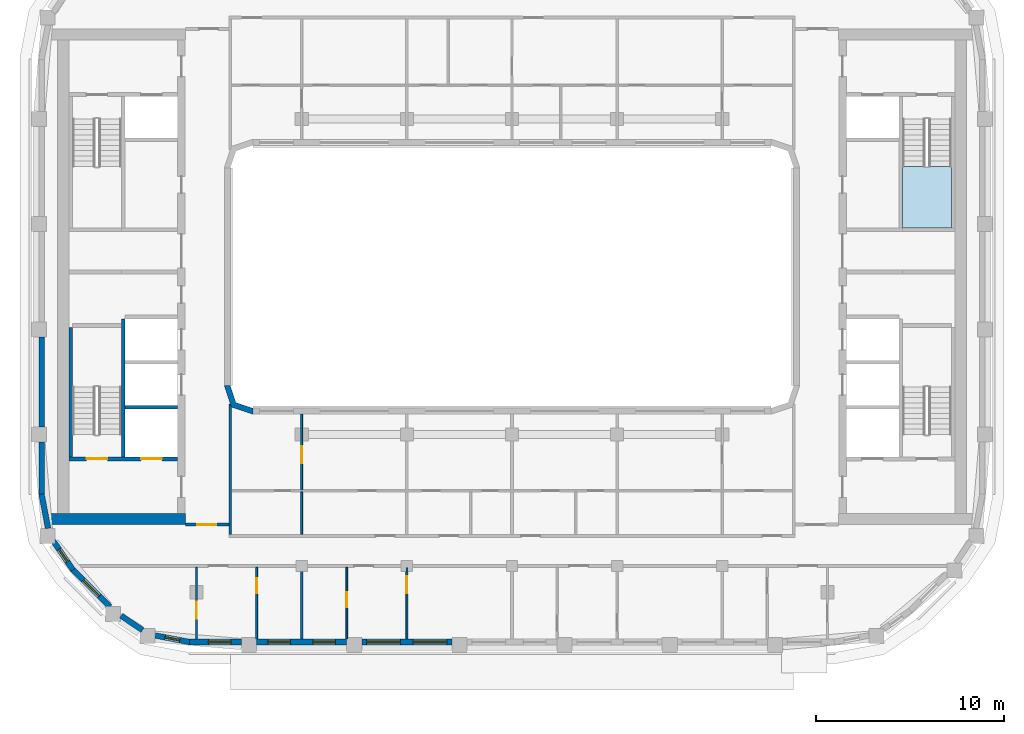
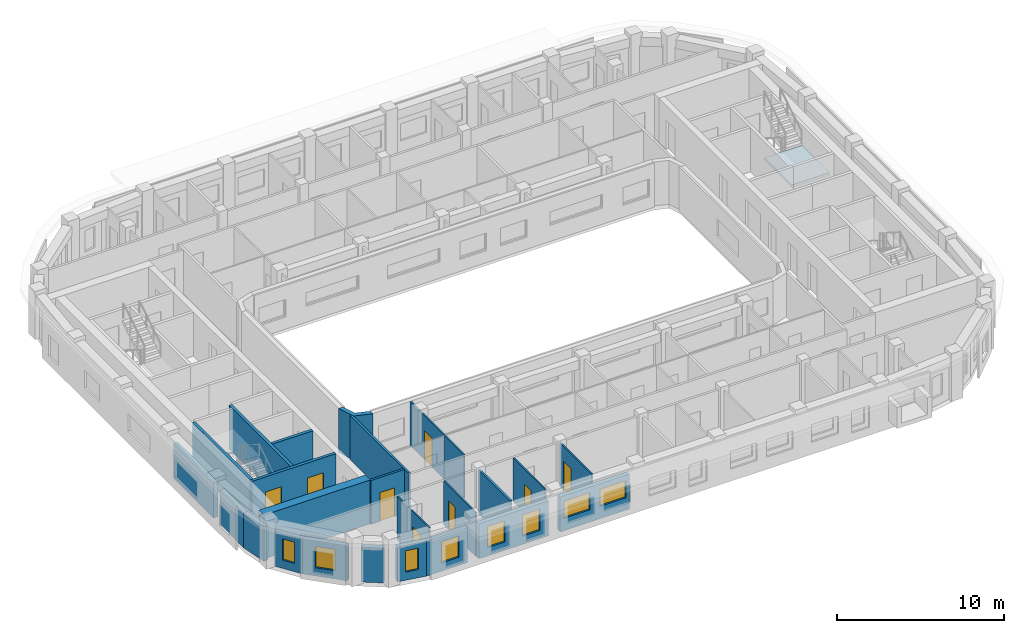
# One storey, part 2 of 16: 25 walls, 8 doors, 8 windows, 1 slab, 16 openings, 1 element without a shape of its own.
"""IFC4 building model written with IfcOpenShell, lengths in metres."""

from ifc_helpers import new_model, si_unit, direction, frame, frame_2d, origin, place, context, subcontext, project, spatial, polyline, rectangle, outline, extrude, material, layer, layer_set, type_object, element, fill, aggregate, save


model = new_model("IFC4")

# Units and contexts
model_context = context("Model", 3, precision=1e-05, world=origin(), true_north=direction((0.0, 1.0)))
body_context = subcontext(model_context, "Body", "Model", "MODEL_VIEW")
ifc_project = project(units=[si_unit("LENGTHUNIT", "METRE"), si_unit("AREAUNIT", "SQUARE_METRE"), si_unit("VOLUMEUNIT", "CUBIC_METRE"), si_unit("PLANEANGLEUNIT", "RADIAN"), si_unit("MASSUNIT", "GRAM", prefix="KILO")], contexts=[model_context])

# Site, building, storey
site_placement = place(None, origin())
site = spatial("IfcSite", under=ifc_project, at=site_placement, CompositionType="ELEMENT")
building_placement = place(site_placement, origin())
building = spatial("IfcBuilding", under=site, at=building_placement, Name="Kiln Ring Residences", CompositionType="ELEMENT")
storey_placement = place(building_placement, frame((0.0, 0.0, 259.199951171875)))
storey = spatial("IfcBuildingStorey", under=building, at=storey_placement, Name="L67", CompositionType="ELEMENT", Elevation=259.199951171875)

# Stair, slab
ifc_material_1 = material(Name="Concrete C40/50", Category="concrete")
stair_type = type_object("IfcStairType", Name="CORE-STAIR", PredefinedType="HALF_TURN_STAIR", material=ifc_material_1)
placement = place(storey_placement, origin())
stair = element("IfcStair", 1, at=placement, inside=storey, type_object=stair_type, Name="L67 stair E-STN", PredefinedType="HALF_TURN_STAIR")
ifc_material_2 = material(Name="Concrete C40/50", Category="concrete")
ifc_layer_1 = layer(ifc_material_2, 0.199951171875)
ifc_layer_set_1 = layer_set([ifc_layer_1], Name="CORE-STAIR-LANDING")
slab_type = type_object("IfcSlabType", Name="CORE-STAIR-LANDING", PredefinedType="LANDING", material=ifc_layer_set_1)
slab_placement = place(storey_placement, frame((0.0, 0.0, 1.550048828125)))
slab = element("IfcSlab", 2, at=slab_placement, type_object=slab_type, Name="E-STN landing 1", PredefinedType="LANDING", context=body_context, shape_type="SweptSolid", body=[
    extrude(outline(polyline([(20.800048828125, 5.8798828125), (20.800048828125, 2.60009765625), (23.39990234375, 2.60009765625), (23.39990234375, 5.8798828125), (20.800048828125, 5.8798828125)])), origin(), (0.0, 0.0, 1.0), 0.199951171875),
])
aggregate(stair, [slab])

# Walls
ifc_material_3 = material(Name="Gypsum shaft wall system")
ifc_layer_2 = layer(ifc_material_3, 0.199951171875)
ifc_layer_set_2 = layer_set([ifc_layer_2], Name="CORE-SHAFT-WALL-200")
wall_type_1 = type_object("IfcWallType", Name="CORE-SHAFT-WALL-200", PredefinedType="PARTITIONING", material=ifc_layer_set_2)
wall_1_placement = place(storey_placement, frame((-17.800048828125, -6.949951171875, 0.0), z_axis=(0.0, 0.0, 1.0), x_axis=(-1.0, 0.0, 0.0)))
element("IfcWall", 3, at=wall_1_placement, inside=storey, type_object=wall_type_1, Name="Core partition west L67 2", PredefinedType="PARTITIONING", context=body_context, shape_type="SweptSolid", body=[
    extrude(rectangle(XDim=2.800048828125, YDim=0.199951171875, at=frame_2d((1.39990234375, 0.0))), origin(), (0.0, 0.0, 1.0), 3.199951171875),
])
ifc_material_4 = material(Name="Concrete C40/50", Category="concrete")
ifc_layer_3 = layer(ifc_material_4, 0.199951171875)
ifc_layer_set_3 = layer_set([ifc_layer_3], Name="CORE-WALL-RC200")
wall_type_2 = type_object("IfcWallType", Name="CORE-WALL-RC200", PredefinedType="SHEAR", material=ifc_layer_set_3)
wall_2_placement = place(storey_placement, frame((-20.699951171875, -9.60009765625, 0.0), z_axis=(0.0, 0.0, 1.0), x_axis=(0.0, 1.0, 0.0)))
element("IfcWall", 4, at=wall_2_placement, inside=storey, type_object=wall_type_2, Name="Core wall west L67 2", PredefinedType="SHEAR", context=body_context, shape_type="SweptSolid", body=[
    extrude(rectangle(XDim=7.35009765625, YDim=0.199951171875, at=frame_2d((3.675048828125, 0.0))), origin(), (0.0, 0.0, 1.0), 3.199951171875),
])

# Wall, openings, doors
wall_3_placement = place(storey_placement, frame((-17.800048828125, -9.699951171875, 0.0), z_axis=(0.0, 0.0, 1.0), x_axis=(-1.0, 0.0, 0.0)))
wall_3 = element("IfcWall", 5, at=wall_3_placement, inside=storey, type_object=wall_type_2, Name="Core wall west L67 8", PredefinedType="SHEAR", context=body_context, shape_type="SweptSolid", body=[
    extrude(rectangle(XDim=5.800048828125, YDim=0.199951171875, at=frame_2d((2.89990234375, 0.0))), origin(), (0.0, 0.0, 1.0), 3.199951171875),
])
opening_1_placement = place(wall_3_placement, frame((0.85009765625, 0.0, 0.0)))
opening_1 = element("IfcOpeningElement", 6, at=opening_1_placement, cuts=wall_3, Name="Opening L67-CW01", PredefinedType="OPENING", context=body_context, shape_type="SweptSolid", body=[
    extrude(rectangle(XDim=1.10009765625, YDim=2.10009765625, at=frame_2d((0.550048828125, 1.050048828125))), frame((0.0, 0.10986328125, 0.0), z_axis=(0.0, -1.0, 0.0), x_axis=(1.0, 0.0, 0.0)), (0.0, 0.0, 1.0), 0.219970703125),
])
opening_2_placement = place(wall_3_placement, frame((3.75, 0.0, 0.0)))
opening_2 = element("IfcOpeningElement", 7, at=opening_2_placement, cuts=wall_3, Name="Opening L67-CW10", PredefinedType="OPENING", context=body_context, shape_type="SweptSolid", body=[
    extrude(rectangle(XDim=1.10009765625, YDim=2.10009765625, at=frame_2d((0.550048828125, 1.050048828125))), frame((0.0, 0.10986328125, 0.0), z_axis=(0.0, -1.0, 0.0), x_axis=(1.0, 0.0, 0.0)), (0.0, 0.0, 1.0), 0.219970703125),
])
ifc_material_5 = material(Name="Steel door leaf", Category="steel")
door_type_1 = type_object("IfcDoorType", Name="CORE-DOOR-LD", OperationType="DOUBLE_DOOR_SLIDING", PredefinedType="DOOR", material=ifc_material_5)
door_1_placement = place(opening_1_placement, origin())
door_1 = element("IfcDoor", 8, at=door_1_placement, inside=storey, type_object=door_type_1, Name="LD W-SV L67-CW01", OperationType="DOUBLE_DOOR_SLIDING", OverallHeight=2.10009765625, OverallWidth=1.10009765625, PredefinedType="DOOR", context=body_context, shape_type="SweptSolid", body=[
    extrude(rectangle(XDim=1.10009765625, YDim=2.10009765625, at=frame_2d((0.550048828125, 1.050048828125))), frame((0.0, 0.02490234375, 0.0), z_axis=(0.0, -1.0, 0.0), x_axis=(1.0, 0.0, 0.0)), (0.0, 0.0, 1.0), 0.050048828125),
])
fill(opening_1, door_1)
ifc_material_6 = material(Name="Steel door leaf", Category="steel")
door_type_2 = type_object("IfcDoorType", Name="CORE-DOOR-STAIR", OperationType="SINGLE_SWING_LEFT", PredefinedType="DOOR", material=ifc_material_6)
door_2_placement = place(opening_2_placement, origin())
door_2 = element("IfcDoor", 9, at=door_2_placement, inside=storey, type_object=door_type_2, Name="Stair W-STS L67-CW10", OperationType="SINGLE_SWING_LEFT", OverallHeight=2.10009765625, OverallWidth=1.10009765625, PredefinedType="DOOR", context=body_context, shape_type="SweptSolid", body=[
    extrude(rectangle(XDim=1.10009765625, YDim=2.10009765625, at=frame_2d((0.550048828125, 1.050048828125))), frame((0.0, 0.02490234375, 0.0), z_axis=(0.0, -1.0, 0.0), x_axis=(1.0, 0.0, 0.0)), (0.0, 0.0, 1.0), 0.050048828125),
])
fill(opening_2, door_2)

# Walls
wall_4_placement = place(storey_placement, frame((-23.5, -9.60009765625, 0.0), z_axis=(0.0, 0.0, 1.0), x_axis=(0.0, 1.0, 0.0)))
element("IfcWall", 10, at=wall_4_placement, inside=storey, type_object=wall_type_2, Name="Core wall west L67 11", PredefinedType="SHEAR", context=body_context, shape_type="SweptSolid", body=[
    extrude(rectangle(XDim=6.900146484375, YDim=0.199951171875, at=frame_2d((3.4501953125, 0.0))), origin(), (0.0, 0.0, 1.0), 3.199951171875),
])
ifc_material_7 = material(Name="Concrete C60/75", Category="concrete")
ifc_layer_4 = layer(ifc_material_7, 0.60009765625)
ifc_layer_set_4 = layer_set([ifc_layer_4], Name="CORE-WALL-RC600")
wall_type_3 = type_object("IfcWallType", Name="CORE-WALL-RC600", PredefinedType="SHEAR", material=ifc_layer_set_4)
wall_5_placement = place(storey_placement, frame((-17.39990234375, -12.89990234375, 0.0), z_axis=(0.0, 0.0, 1.0), x_axis=(-1.0, 0.0, 0.0)))
element("IfcWall", 11, at=wall_5_placement, inside=storey, type_object=wall_type_3, Name="Core wall west L67 5", PredefinedType="SHEAR", context=body_context, shape_type="SweptSolid", body=[
    extrude(rectangle(XDim=7.320068359375, YDim=0.60009765625, at=frame_2d((3.66015625, 0.0))), origin(), (0.0, 0.0, 1.0), 3.199951171875),
])

# Wall, opening, window
ifc_material_8 = material(Name="Brick masonry, dark clay brick", Category="masonry")
ifc_layer_5 = layer(ifc_material_8, 0.300048828125)
ifc_layer_set_5 = layer_set([ifc_layer_5], Name="EW-300 BRICK WALL")
wall_type_4 = type_object("IfcWallType", Name="EW-300 BRICK WALL", PredefinedType="SOLIDWALL", material=ifc_layer_set_5)
wall_6_placement = place(storey_placement, frame((-23.39697265625, -15.591064453125, 0.0), z_axis=(0.0, 0.0, 1.0), x_axis=(0.707150377276, -0.707063182409, 0.0)))
wall_6 = element("IfcWall", 12, at=wall_6_placement, inside=storey, type_object=wall_type_4, Name="Facade wall L67 1", PredefinedType="SOLIDWALL", context=body_context, shape_type="SweptSolid", body=[
    extrude(rectangle(XDim=2.800048828125, YDim=0.300048828125, at=frame_2d((1.39990234375, 0.0))), origin(), (0.0, 0.0, 1.0), 2.550048828125),
])
opening_3_placement = place(wall_6_placement, frame((0.800048828125, 0.0, 0.60009765625)))
opening_3 = element("IfcOpeningElement", 13, at=opening_3_placement, cuts=wall_6, Name="Opening W1", PredefinedType="OPENING", context=body_context, shape_type="SweptSolid", body=[
    extrude(rectangle(XDim=1.199951171875, YDim=1.550048828125, at=frame_2d((0.60009765625, 0.77490234375))), frame((0.0, 0.159912109375, 0.0), z_axis=(0.0, -1.0, 0.0), x_axis=(1.0, 0.0, 0.0)), (0.0, 0.0, 1.0), 0.320068359375),
])
ifc_material_9 = material(Name="Aluminium frame with double glazing", Category="aluminium")
window_type_1 = type_object("IfcWindowType", Name="WINDOW 1200 x 1550", PartitioningType="SINGLE_PANEL", PredefinedType="WINDOW", material=ifc_material_9)
window_1_placement = place(opening_3_placement, origin())
window_1 = element("IfcWindow", 14, at=window_1_placement, inside=storey, type_object=window_type_1, Name="Window L67 1", OverallHeight=1.550048828125, OverallWidth=1.199951171875, PartitioningType="SINGLE_PANEL", PredefinedType="WINDOW", context=body_context, shape_type="SweptSolid", body=[
    extrude(rectangle(XDim=1.199951171875, YDim=1.550048828125, at=frame_2d((0.60009765625, 0.77490234375))), frame((0.0, 0.030029296875, 0.0), z_axis=(0.0, -1.0, 0.0), x_axis=(1.0, 0.0, 0.0)), (0.0, 0.0, 1.0), 0.06005859375),
])
fill(opening_3, window_1)

# Wall
wall_7_placement = place(storey_placement, frame((-20.816650390625, -18.048095703125, 0.0), z_axis=(0.0, 0.0, 1.0), x_axis=(0.827025410886, -0.562164539747, 0.0)))
element("IfcWall", 15, at=wall_7_placement, inside=storey, type_object=wall_type_4, Name="Facade wall L67 2", PredefinedType="SOLIDWALL", context=body_context, shape_type="SweptSolid", body=[
    extrude(rectangle(XDim=1.377197265625, YDim=0.300048828125, at=frame_2d((0.6884765625, 0.0))), origin(), (0.0, 0.0, 1.0), 2.550048828125),
])

# Wall, opening, window
wall_8_placement = place(storey_placement, frame((-18.9951171875, -19.10498046875, 0.0), z_axis=(0.0, 0.0, 1.0), x_axis=(0.982301706131, -0.187305520826, 0.0)))
wall_8 = element("IfcWall", 16, at=wall_8_placement, inside=storey, type_object=wall_type_4, Name="Facade wall L67 3", PredefinedType="SOLIDWALL", context=body_context, shape_type="SweptSolid", body=[
    extrude(rectangle(XDim=1.856201171875, YDim=0.300048828125, at=frame_2d((0.92822265625, 0.0))), origin(), (0.0, 0.0, 1.0), 2.550048828125),
])
opening_4_placement = place(wall_8_placement, frame((0.528076171875, 0.0, 0.60009765625)))
opening_4 = element("IfcOpeningElement", 17, at=opening_4_placement, cuts=wall_8, Name="Opening W5", PredefinedType="OPENING", context=body_context, shape_type="SweptSolid", body=[
    extrude(rectangle(XDim=0.800048828125, YDim=1.550048828125, at=frame_2d((0.39990234375, 0.77490234375))), frame((0.0, 0.159912109375, 0.0), z_axis=(0.0, -1.0, 0.0), x_axis=(1.0, 0.0, 0.0)), (0.0, 0.0, 1.0), 0.320068359375),
])
ifc_material_10 = material(Name="Aluminium frame with double glazing", Category="aluminium")
window_type_2 = type_object("IfcWindowType", Name="WINDOW 800 x 1550", PartitioningType="SINGLE_PANEL", PredefinedType="WINDOW", material=ifc_material_10)
window_2_placement = place(opening_4_placement, origin())
window_2 = element("IfcWindow", 18, at=window_2_placement, inside=storey, type_object=window_type_2, Name="Window L67 2", OverallHeight=1.550048828125, OverallWidth=0.800048828125, PartitioningType="SINGLE_PANEL", PredefinedType="WINDOW", context=body_context, shape_type="SweptSolid", body=[
    extrude(rectangle(XDim=0.800048828125, YDim=1.550048828125, at=frame_2d((0.39990234375, 0.77490234375))), frame((0.0, 0.030029296875, 0.0), z_axis=(0.0, -1.0, 0.0), x_axis=(1.0, 0.0, 0.0)), (0.0, 0.0, 1.0), 0.06005859375),
])
fill(opening_4, window_2)

wall_9_placement = place(storey_placement, frame((-17.199951171875, -19.449951171875, 0.0), z_axis=(0.0, 0.0, 1.0), x_axis=(1.0, 0.0, 0.0)))
wall_9 = element("IfcWall", 19, at=wall_9_placement, inside=storey, type_object=wall_type_4, Name="Facade wall L67 4", PredefinedType="SOLIDWALL", context=body_context, shape_type="SweptSolid", body=[
    extrude(rectangle(XDim=2.800048828125, YDim=0.300048828125, at=frame_2d((1.39990234375, 0.0))), origin(), (0.0, 0.0, 1.0), 2.550048828125),
])
opening_5_placement = place(wall_9_placement, frame((1.03759765625, 0.0, 0.60009765625)))
opening_5 = element("IfcOpeningElement", 20, at=opening_5_placement, cuts=wall_9, Name="Opening W1", PredefinedType="OPENING", context=body_context, shape_type="SweptSolid", body=[
    extrude(rectangle(XDim=1.199951171875, YDim=1.550048828125, at=frame_2d((0.60009765625, 0.77490234375))), frame((0.0, 0.159912109375, 0.0), z_axis=(0.0, -1.0, 0.0), x_axis=(1.0, 0.0, 0.0)), (0.0, 0.0, 1.0), 0.320068359375),
])
window_3_placement = place(opening_5_placement, origin())
window_3 = element("IfcWindow", 21, at=window_3_placement, inside=storey, type_object=window_type_1, Name="Window L67 3", OverallHeight=1.550048828125, OverallWidth=1.199951171875, PartitioningType="SINGLE_PANEL", PredefinedType="WINDOW", context=body_context, shape_type="SweptSolid", body=[
    extrude(rectangle(XDim=1.199951171875, YDim=1.550048828125, at=frame_2d((0.60009765625, 0.77490234375))), frame((0.0, 0.030029296875, 0.0), z_axis=(0.0, -1.0, 0.0), x_axis=(1.0, 0.0, 0.0)), (0.0, 0.0, 1.0), 0.06005859375),
])
fill(opening_5, window_3)

# Wall, openings, windows
wall_10_placement = place(storey_placement, frame((-13.60009765625, -19.449951171875, 0.0), z_axis=(0.0, 0.0, 1.0), x_axis=(1.0, 0.0, 0.0)))
wall_10 = element("IfcWall", 22, at=wall_10_placement, inside=storey, type_object=wall_type_4, Name="Facade wall L67 5", PredefinedType="SOLIDWALL", context=body_context, shape_type="SweptSolid", body=[
    extrude(rectangle(XDim=4.800048828125, YDim=0.300048828125, at=frame_2d((2.39990234375, 0.0))), origin(), (0.0, 0.0, 1.0), 2.550048828125),
])
opening_6_placement = place(wall_10_placement, frame((0.60009765625, 0.0, 0.60009765625)))
opening_6 = element("IfcOpeningElement", 23, at=opening_6_placement, cuts=wall_10, Name="Opening W1", PredefinedType="OPENING", context=body_context, shape_type="SweptSolid", body=[
    extrude(rectangle(XDim=1.199951171875, YDim=1.550048828125, at=frame_2d((0.60009765625, 0.77490234375))), frame((0.0, 0.159912109375, 0.0), z_axis=(0.0, -1.0, 0.0), x_axis=(1.0, 0.0, 0.0)), (0.0, 0.0, 1.0), 0.320068359375),
])
opening_7_placement = place(wall_10_placement, frame((3.0, 0.0, 0.60009765625)))
opening_7 = element("IfcOpeningElement", 24, at=opening_7_placement, cuts=wall_10, Name="Opening W1", PredefinedType="OPENING", context=body_context, shape_type="SweptSolid", body=[
    extrude(rectangle(XDim=1.199951171875, YDim=1.550048828125, at=frame_2d((0.60009765625, 0.77490234375))), frame((0.0, 0.159912109375, 0.0), z_axis=(0.0, -1.0, 0.0), x_axis=(1.0, 0.0, 0.0)), (0.0, 0.0, 1.0), 0.320068359375),
])
window_4_placement = place(opening_6_placement, origin())
window_4 = element("IfcWindow", 25, at=window_4_placement, inside=storey, type_object=window_type_1, Name="Window L67 4", OverallHeight=1.550048828125, OverallWidth=1.199951171875, PartitioningType="SINGLE_PANEL", PredefinedType="WINDOW", context=body_context, shape_type="SweptSolid", body=[
    extrude(rectangle(XDim=1.199951171875, YDim=1.550048828125, at=frame_2d((0.60009765625, 0.77490234375))), frame((0.0, 0.030029296875, 0.0), z_axis=(0.0, -1.0, 0.0), x_axis=(1.0, 0.0, 0.0)), (0.0, 0.0, 1.0), 0.06005859375),
])
fill(opening_6, window_4)
window_5_placement = place(opening_7_placement, origin())
window_5 = element("IfcWindow", 26, at=window_5_placement, inside=storey, type_object=window_type_1, Name="Window L67 5", OverallHeight=1.550048828125, OverallWidth=1.199951171875, PartitioningType="SINGLE_PANEL", PredefinedType="WINDOW", context=body_context, shape_type="SweptSolid", body=[
    extrude(rectangle(XDim=1.199951171875, YDim=1.550048828125, at=frame_2d((0.60009765625, 0.77490234375))), frame((0.0, 0.030029296875, 0.0), z_axis=(0.0, -1.0, 0.0), x_axis=(1.0, 0.0, 0.0)), (0.0, 0.0, 1.0), 0.06005859375),
])
fill(opening_7, window_5)

wall_11_placement = place(storey_placement, frame((-8.0, -19.449951171875, 0.0), z_axis=(0.0, 0.0, 1.0), x_axis=(1.0, 0.0, 0.0)))
wall_11 = element("IfcWall", 27, at=wall_11_placement, inside=storey, type_object=wall_type_4, Name="Facade wall L67 6", PredefinedType="SOLIDWALL", context=body_context, shape_type="SweptSolid", body=[
    extrude(rectangle(XDim=4.800048828125, YDim=0.300048828125, at=frame_2d((2.39990234375, 0.0))), origin(), (0.0, 0.0, 1.0), 2.550048828125),
])
opening_8_placement = place(wall_11_placement, frame((0.262451171875, 0.0, 0.89990234375)))
opening_8 = element("IfcOpeningElement", 28, at=opening_8_placement, cuts=wall_11, Name="Opening W2", PredefinedType="OPENING", context=body_context, shape_type="SweptSolid", body=[
    extrude(rectangle(XDim=1.800048828125, YDim=1.25, at=frame_2d((0.89990234375, 0.625))), frame((0.0, 0.159912109375, 0.0), z_axis=(0.0, -1.0, 0.0), x_axis=(1.0, 0.0, 0.0)), (0.0, 0.0, 1.0), 0.320068359375),
])
opening_9_placement = place(wall_11_placement, frame((2.737548828125, 0.0, 0.89990234375)))
opening_9 = element("IfcOpeningElement", 29, at=opening_9_placement, cuts=wall_11, Name="Opening W2", PredefinedType="OPENING", context=body_context, shape_type="SweptSolid", body=[
    extrude(rectangle(XDim=1.800048828125, YDim=1.25, at=frame_2d((0.89990234375, 0.625))), frame((0.0, 0.159912109375, 0.0), z_axis=(0.0, -1.0, 0.0), x_axis=(1.0, 0.0, 0.0)), (0.0, 0.0, 1.0), 0.320068359375),
])
ifc_material_11 = material(Name="Aluminium frame with double glazing", Category="aluminium")
window_type_3 = type_object("IfcWindowType", Name="WINDOW 1800 x 1250", PartitioningType="SINGLE_PANEL", PredefinedType="WINDOW", material=ifc_material_11)
window_6_placement = place(opening_8_placement, origin())
window_6 = element("IfcWindow", 30, at=window_6_placement, inside=storey, type_object=window_type_3, Name="Window L67 6", OverallHeight=1.25, OverallWidth=1.800048828125, PartitioningType="SINGLE_PANEL", PredefinedType="WINDOW", context=body_context, shape_type="SweptSolid", body=[
    extrude(rectangle(XDim=1.800048828125, YDim=1.25, at=frame_2d((0.89990234375, 0.625))), frame((0.0, 0.030029296875, 0.0), z_axis=(0.0, -1.0, 0.0), x_axis=(1.0, 0.0, 0.0)), (0.0, 0.0, 1.0), 0.06005859375),
])
fill(opening_8, window_6)
window_7_placement = place(opening_9_placement, origin())
window_7 = element("IfcWindow", 31, at=window_7_placement, inside=storey, type_object=window_type_3, Name="Window L67 7", OverallHeight=1.25, OverallWidth=1.800048828125, PartitioningType="SINGLE_PANEL", PredefinedType="WINDOW", context=body_context, shape_type="SweptSolid", body=[
    extrude(rectangle(XDim=1.800048828125, YDim=1.25, at=frame_2d((0.89990234375, 0.625))), frame((0.0, 0.030029296875, 0.0), z_axis=(0.0, -1.0, 0.0), x_axis=(1.0, 0.0, 0.0)), (0.0, 0.0, 1.0), 0.06005859375),
])
fill(opening_9, window_7)

# Walls
wall_12_placement = place(storey_placement, frame((-25.050048828125, -3.199951171875, 0.0), z_axis=(0.0, 0.0, 1.0), x_axis=(0.0, -1.0, 0.0)))
element("IfcWall", 32, at=wall_12_placement, inside=storey, type_object=wall_type_4, Name="Facade wall L67 41", PredefinedType="SOLIDWALL", context=body_context, shape_type="SweptSolid", body=[
    extrude(rectangle(XDim=4.800048828125, YDim=0.300048828125, at=frame_2d((2.39990234375, 0.0))), origin(), (0.0, 0.0, 1.0), 2.550048828125),
])
wall_13_placement = place(storey_placement, frame((-25.050048828125, -8.800048828125, 0.0), z_axis=(0.0, 0.0, 1.0), x_axis=(0.0, -1.0, 0.0)))
element("IfcWall", 33, at=wall_13_placement, inside=storey, type_object=wall_type_4, Name="Facade wall L67 42", PredefinedType="SOLIDWALL", context=body_context, shape_type="SweptSolid", body=[
    extrude(rectangle(XDim=2.800048828125, YDim=0.300048828125, at=frame_2d((1.39990234375, 0.0))), origin(), (0.0, 0.0, 1.0), 2.550048828125),
])
wall_14_placement = place(storey_placement, frame((-25.052734375, -11.57177734375, 0.0), z_axis=(0.0, 0.0, 1.0), x_axis=(0.187408222942, -0.982282117303, 0.0)))
element("IfcWall", 34, at=wall_14_placement, inside=storey, type_object=wall_type_4, Name="Facade wall L67 43", PredefinedType="SOLIDWALL", context=body_context, shape_type="SweptSolid", body=[
    extrude(rectangle(XDim=1.8564453125, YDim=0.300048828125, at=frame_2d((0.92822265625, 0.0))), origin(), (0.0, 0.0, 1.0), 2.550048828125),
])

# Wall, opening, window
wall_15_placement = place(storey_placement, frame((-24.422119140625, -14.07763671875, 0.0), z_axis=(0.0, 0.0, 1.0), x_axis=(0.562054549384, -0.827100165347, 0.0)))
wall_15 = element("IfcWall", 35, at=wall_15_placement, inside=storey, type_object=wall_type_4, Name="Facade wall L67 44", PredefinedType="SOLIDWALL", context=body_context, shape_type="SweptSolid", body=[
    extrude(rectangle(XDim=1.85595703125, YDim=0.300048828125, at=frame_2d((0.927978515625, 0.0))), origin(), (0.0, 0.0, 1.0), 2.550048828125),
])
opening_10_placement = place(wall_15_placement, frame((0.528076171875, 0.0, 0.60009765625)))
opening_10 = element("IfcOpeningElement", 36, at=opening_10_placement, cuts=wall_15, Name="Opening W5", PredefinedType="OPENING", context=body_context, shape_type="SweptSolid", body=[
    extrude(rectangle(XDim=0.800048828125, YDim=1.550048828125, at=frame_2d((0.39990234375, 0.77490234375))), frame((0.0, 0.159912109375, 0.0), z_axis=(0.0, -1.0, 0.0), x_axis=(1.0, 0.0, 0.0)), (0.0, 0.0, 1.0), 0.320068359375),
])
window_8_placement = place(opening_10_placement, origin())
window_8 = element("IfcWindow", 37, at=window_8_placement, inside=storey, type_object=window_type_2, Name="Window L67 36", OverallHeight=1.550048828125, OverallWidth=0.800048828125, PartitioningType="SINGLE_PANEL", PredefinedType="WINDOW", context=body_context, shape_type="SweptSolid", body=[
    extrude(rectangle(XDim=0.800048828125, YDim=1.550048828125, at=frame_2d((0.39990234375, 0.77490234375))), frame((0.0, 0.030029296875, 0.0), z_axis=(0.0, -1.0, 0.0), x_axis=(1.0, 0.0, 0.0)), (0.0, 0.0, 1.0), 0.06005859375),
])
fill(opening_10, window_8)

# Wall
element("IfcWall", 38, at=placement, inside=storey, type_object=wall_type_4, Name="Corner wall L67 4", PredefinedType="SOLIDWALL", context=body_context, shape_type="SweptSolid", body=[
    extrude(outline(polyline([(-14.937255859375, -6.937255859375), (-13.8486328125, -7.300048828125), (-13.800048828125, -7.300048828125), (-13.800048828125, -7.0), (-14.699951171875, -6.699951171875), (-15.0, -5.800048828125), (-15.300048828125, -5.800048828125), (-15.300048828125, -5.8486328125), (-14.937255859375, -6.937255859375)])), origin(), (0.0, 0.0, 1.0), 3.199951171875),
])

# Wall, opening, door
ifc_material_12 = material(Name="Gypsum board on steel studs", Category="steel")
ifc_layer_6 = layer(ifc_material_12, 0.10009765625)
ifc_layer_set_6 = layer_set([ifc_layer_6], Name="PARTITION-100")
wall_type_5 = type_object("IfcWallType", Name="PARTITION-100", PredefinedType="PARTITIONING", material=ifc_layer_set_6)
wall_17_placement = place(storey_placement, frame((-16.800048828125, -19.280029296875, 0.0), z_axis=(0.0, 0.0, 1.0), x_axis=(0.0, 1.0, 0.0)))
wall_17 = element("IfcWall", 39, at=wall_17_placement, inside=storey, type_object=wall_type_5, Name="Partition 010", PredefinedType="PARTITIONING", context=body_context, shape_type="SweptSolid", body=[
    extrude(rectangle(XDim=3.804931640625, YDim=0.10009765625, at=frame_2d((1.90234375, 0.0))), origin(), (0.0, 0.0, 1.0), 3.199951171875),
])
opening_11_placement = place(wall_17_placement, frame((1.0791015625, 0.0, 0.0)))
opening_11 = element("IfcOpeningElement", 40, at=opening_11_placement, cuts=wall_17, Name="Opening L67-D047", PredefinedType="OPENING", context=body_context, shape_type="SweptSolid", body=[
    extrude(rectangle(XDim=0.89990234375, YDim=2.10009765625, at=frame_2d((0.449951171875, 1.050048828125))), frame((0.0, 0.06005859375, 0.0), z_axis=(0.0, -1.0, 0.0), x_axis=(1.0, 0.0, 0.0)), (0.0, 0.0, 1.0), 0.1201171875),
])
ifc_material_13 = material(Name="Timber door leaf", Category="wood")
door_type_3 = type_object("IfcDoorType", Name="FLAT-DOOR-900-PL", OperationType="SINGLE_SWING_LEFT", PredefinedType="DOOR", material=ifc_material_13)
door_3_placement = place(opening_11_placement, origin())
door_3 = element("IfcDoor", 41, at=door_3_placement, inside=storey, type_object=door_type_3, Name="Door L67-D047", OperationType="SINGLE_SWING_RIGHT", OverallHeight=2.10009765625, OverallWidth=0.89990234375, PredefinedType="DOOR", context=body_context, shape_type="SweptSolid", body=[
    extrude(rectangle(XDim=0.89990234375, YDim=2.10009765625, at=frame_2d((0.449951171875, 1.050048828125))), frame((0.0, 0.02490234375, 0.0), z_axis=(0.0, -1.0, 0.0), x_axis=(1.0, 0.0, 0.0)), (0.0, 0.0, 1.0), 0.050048828125),
])
fill(opening_11, door_3)

wall_18_placement = place(storey_placement, frame((-13.60009765625, -19.280029296875, 0.0), z_axis=(0.0, 0.0, 1.0), x_axis=(0.0, 1.0, 0.0)))
wall_18 = element("IfcWall", 42, at=wall_18_placement, inside=storey, type_object=wall_type_5, Name="Partition 014", PredefinedType="PARTITIONING", context=body_context, shape_type="SweptSolid", body=[
    extrude(rectangle(XDim=3.804931640625, YDim=0.10009765625, at=frame_2d((1.90234375, 0.0))), origin(), (0.0, 0.0, 1.0), 3.199951171875),
])
opening_12_placement = place(wall_18_placement, frame((2.419921875, 0.0, 0.0)))
opening_12 = element("IfcOpeningElement", 43, at=opening_12_placement, cuts=wall_18, Name="Opening L67-D046", PredefinedType="OPENING", context=body_context, shape_type="SweptSolid", body=[
    extrude(rectangle(XDim=0.800048828125, YDim=2.10009765625, at=frame_2d((0.39990234375, 1.050048828125))), frame((0.0, 0.06005859375, 0.0), z_axis=(0.0, -1.0, 0.0), x_axis=(1.0, 0.0, 0.0)), (0.0, 0.0, 1.0), 0.1201171875),
])
ifc_material_14 = material(Name="Timber door leaf", Category="wood")
door_type_4 = type_object("IfcDoorType", Name="FLAT-DOOR-800-PL", OperationType="SINGLE_SWING_LEFT", PredefinedType="DOOR", material=ifc_material_14)
door_4_placement = place(opening_12_placement, origin())
door_4 = element("IfcDoor", 44, at=door_4_placement, inside=storey, type_object=door_type_4, Name="Door L67-D046", OperationType="SINGLE_SWING_RIGHT", OverallHeight=2.10009765625, OverallWidth=0.800048828125, PredefinedType="DOOR", context=body_context, shape_type="SweptSolid", body=[
    extrude(rectangle(XDim=0.800048828125, YDim=2.10009765625, at=frame_2d((0.39990234375, 1.050048828125))), frame((0.0, 0.02490234375, 0.0), z_axis=(0.0, -1.0, 0.0), x_axis=(1.0, 0.0, 0.0)), (0.0, 0.0, 1.0), 0.050048828125),
])
fill(opening_12, door_4)

# Wall
wall_19_placement = place(storey_placement, frame((-11.199951171875, -13.72509765625, 0.0), z_axis=(0.0, 0.0, 1.0), x_axis=(0.0, 1.0, 0.0)))
element("IfcWall", 45, at=wall_19_placement, inside=storey, type_object=wall_type_5, Name="Partition 016", PredefinedType="PARTITIONING", context=body_context, shape_type="SweptSolid", body=[
    extrude(rectangle(XDim=2.275146484375, YDim=0.10009765625, at=frame_2d((1.1376953125, 0.0))), origin(), (0.0, 0.0, 1.0), 3.199951171875),
])

# Wall, opening, door
wall_20_placement = place(storey_placement, frame((-11.199951171875, -11.35009765625, 0.0), z_axis=(0.0, 0.0, 1.0), x_axis=(0.0, 1.0, 0.0)))
wall_20 = element("IfcWall", 46, at=wall_20_placement, inside=storey, type_object=wall_type_5, Name="Partition 017", PredefinedType="PARTITIONING", context=body_context, shape_type="SweptSolid", body=[
    extrude(rectangle(XDim=4.030029296875, YDim=0.10009765625, at=frame_2d((2.01513671875, 0.0))), origin(), (0.0, 0.0, 1.0), 3.199951171875),
])
opening_13_placement = place(wall_20_placement, frame((1.429931640625, 0.0, 0.0)))
opening_13 = element("IfcOpeningElement", 47, at=opening_13_placement, cuts=wall_20, Name="Opening L67-D034", PredefinedType="OPENING", context=body_context, shape_type="SweptSolid", body=[
    extrude(rectangle(XDim=0.89990234375, YDim=2.10009765625, at=frame_2d((0.449951171875, 1.050048828125))), frame((0.0, 0.06005859375, 0.0), z_axis=(0.0, -1.0, 0.0), x_axis=(1.0, 0.0, 0.0)), (0.0, 0.0, 1.0), 0.1201171875),
])
door_5_placement = place(opening_13_placement, origin())
door_5 = element("IfcDoor", 48, at=door_5_placement, inside=storey, type_object=door_type_3, Name="Door L67-D034", OperationType="SINGLE_SWING_RIGHT", OverallHeight=2.10009765625, OverallWidth=0.89990234375, PredefinedType="DOOR", context=body_context, shape_type="SweptSolid", body=[
    extrude(rectangle(XDim=0.89990234375, YDim=2.10009765625, at=frame_2d((0.449951171875, 1.050048828125))), frame((0.0, 0.02490234375, 0.0), z_axis=(0.0, -1.0, 0.0), x_axis=(1.0, 0.0, 0.0)), (0.0, 0.0, 1.0), 0.050048828125),
])
fill(opening_13, door_5)

wall_21_placement = place(storey_placement, frame((-8.800048828125, -19.280029296875, 0.0), z_axis=(0.0, 0.0, 1.0), x_axis=(0.0, 1.0, 0.0)))
wall_21 = element("IfcWall", 49, at=wall_21_placement, inside=storey, type_object=wall_type_5, Name="Partition 022", PredefinedType="PARTITIONING", context=body_context, shape_type="SweptSolid", body=[
    extrude(rectangle(XDim=3.804931640625, YDim=0.10009765625, at=frame_2d((1.90234375, 0.0))), origin(), (0.0, 0.0, 1.0), 3.199951171875),
])
opening_14_placement = place(wall_21_placement, frame((1.678955078125, 0.0, 0.0)))
opening_14 = element("IfcOpeningElement", 50, at=opening_14_placement, cuts=wall_21, Name="Opening L67-D049", PredefinedType="OPENING", context=body_context, shape_type="SweptSolid", body=[
    extrude(rectangle(XDim=0.800048828125, YDim=2.10009765625, at=frame_2d((0.39990234375, 1.050048828125))), frame((0.0, 0.06005859375, 0.0), z_axis=(0.0, -1.0, 0.0), x_axis=(1.0, 0.0, 0.0)), (0.0, 0.0, 1.0), 0.1201171875),
])
door_6_placement = place(opening_14_placement, origin())
door_6 = element("IfcDoor", 51, at=door_6_placement, inside=storey, type_object=door_type_4, Name="Door L67-D049", OperationType="SINGLE_SWING_LEFT", OverallHeight=2.10009765625, OverallWidth=0.800048828125, PredefinedType="DOOR", context=body_context, shape_type="SweptSolid", body=[
    extrude(rectangle(XDim=0.800048828125, YDim=2.10009765625, at=frame_2d((0.39990234375, 1.050048828125))), frame((0.0, 0.02490234375, 0.0), z_axis=(0.0, -1.0, 0.0), x_axis=(1.0, 0.0, 0.0)), (0.0, 0.0, 1.0), 0.050048828125),
])
fill(opening_14, door_6)

wall_22_placement = place(storey_placement, frame((-5.60009765625, -19.280029296875, 0.0), z_axis=(0.0, 0.0, 1.0), x_axis=(0.0, 1.0, 0.0)))
wall_22 = element("IfcWall", 52, at=wall_22_placement, inside=storey, type_object=wall_type_5, Name="Partition 023", PredefinedType="PARTITIONING", context=body_context, shape_type="SweptSolid", body=[
    extrude(rectangle(XDim=3.804931640625, YDim=0.10009765625, at=frame_2d((1.90234375, 0.0))), origin(), (0.0, 0.0, 1.0), 3.199951171875),
])
opening_15_placement = place(wall_22_placement, frame((2.419921875, 0.0, 0.0)))
opening_15 = element("IfcOpeningElement", 53, at=opening_15_placement, cuts=wall_22, Name="Opening L67-D050", PredefinedType="OPENING", context=body_context, shape_type="SweptSolid", body=[
    extrude(rectangle(XDim=0.89990234375, YDim=2.10009765625, at=frame_2d((0.449951171875, 1.050048828125))), frame((0.0, 0.06005859375, 0.0), z_axis=(0.0, -1.0, 0.0), x_axis=(1.0, 0.0, 0.0)), (0.0, 0.0, 1.0), 0.1201171875),
])
door_7_placement = place(opening_15_placement, origin())
door_7 = element("IfcDoor", 54, at=door_7_placement, inside=storey, type_object=door_type_3, Name="Door L67-D050", OperationType="SINGLE_SWING_RIGHT", OverallHeight=2.10009765625, OverallWidth=0.89990234375, PredefinedType="DOOR", context=body_context, shape_type="SweptSolid", body=[
    extrude(rectangle(XDim=0.89990234375, YDim=2.10009765625, at=frame_2d((0.449951171875, 1.050048828125))), frame((0.0, 0.02490234375, 0.0), z_axis=(0.0, -1.0, 0.0), x_axis=(1.0, 0.0, 0.0)), (0.0, 0.0, 1.0), 0.050048828125),
])
fill(opening_15, door_7)

ifc_material_15 = material(Name="Brick masonry partition", Category="masonry")
ifc_layer_7 = layer(ifc_material_15, 0.14990234375)
ifc_layer_set_7 = layer_set([ifc_layer_7], Name="PARTITION-150-ei60")
wall_type_6 = type_object("IfcWallType", Name="PARTITION-150-ei60", PredefinedType="PARTITIONING", material=ifc_layer_set_7)
wall_23_placement = place(storey_placement, frame((-17.39990234375, -13.199951171875, 0.0), z_axis=(0.0, 0.0, 1.0), x_axis=(1.0, 0.0, 0.0)))
wall_23 = element("IfcWall", 55, at=wall_23_placement, inside=storey, type_object=wall_type_6, Name="Partition 002", PredefinedType="PARTITIONING", context=body_context, shape_type="SweptSolid", body=[
    extrude(rectangle(XDim=2.324951171875, YDim=0.14990234375, at=frame_2d((1.16259765625, 0.0))), origin(), (0.0, 0.0, 1.0), 3.199951171875),
])
opening_16_placement = place(wall_23_placement, frame((0.64990234375, 0.0, 0.0)))
opening_16 = element("IfcOpeningElement", 56, at=opening_16_placement, cuts=wall_23, Name="Opening L67-D003", PredefinedType="OPENING", context=body_context, shape_type="SweptSolid", body=[
    extrude(rectangle(XDim=1.0, YDim=2.10009765625, at=frame_2d((0.5, 1.050048828125))), frame((0.0, 0.0849609375, 0.0), z_axis=(0.0, -1.0, 0.0), x_axis=(1.0, 0.0, 0.0)), (0.0, 0.0, 1.0), 0.169921875),
])
ifc_material_16 = material(Name="Steel faced fire door leaf", Category="steel")
door_type_5 = type_object("IfcDoorType", Name="FLAT-DOOR-1000-FR", OperationType="SINGLE_SWING_LEFT", PredefinedType="DOOR", material=ifc_material_16)
door_8_placement = place(opening_16_placement, origin())
door_8 = element("IfcDoor", 57, at=door_8_placement, inside=storey, type_object=door_type_5, Name="Door L67-D003", OperationType="SINGLE_SWING_RIGHT", OverallHeight=2.10009765625, OverallWidth=1.0, PredefinedType="DOOR", context=body_context, shape_type="SweptSolid", body=[
    extrude(rectangle(XDim=1.0, YDim=2.10009765625, at=frame_2d((0.5, 1.050048828125))), frame((0.0, 0.02490234375, 0.0), z_axis=(0.0, -1.0, 0.0), x_axis=(1.0, 0.0, 0.0)), (0.0, 0.0, 1.0), 0.050048828125),
])
fill(opening_16, door_8)

# Walls
wall_24_placement = place(storey_placement, frame((-15.0, -13.72509765625, 0.0), z_axis=(0.0, 0.0, 1.0), x_axis=(0.0, 1.0, 0.0)))
element("IfcWall", 58, at=wall_24_placement, inside=storey, type_object=wall_type_6, Name="Partition 012", PredefinedType="PARTITIONING", context=body_context, shape_type="SweptSolid", body=[
    extrude(rectangle(XDim=6.956298828125, YDim=0.14990234375, at=frame_2d((3.47802734375, 0.0))), origin(), (0.0, 0.0, 1.0), 3.199951171875),
])
wall_25_placement = place(storey_placement, frame((-11.199951171875, -19.280029296875, 0.0), z_axis=(0.0, 0.0, 1.0), x_axis=(0.0, 1.0, 0.0)))
element("IfcWall", 59, at=wall_25_placement, inside=storey, type_object=wall_type_6, Name="Partition 020", PredefinedType="PARTITIONING", context=body_context, shape_type="SweptSolid", body=[
    extrude(rectangle(XDim=3.804931640625, YDim=0.14990234375, at=frame_2d((1.90234375, 0.0))), origin(), (0.0, 0.0, 1.0), 3.199951171875),
])

save(model, "model.ifc")
